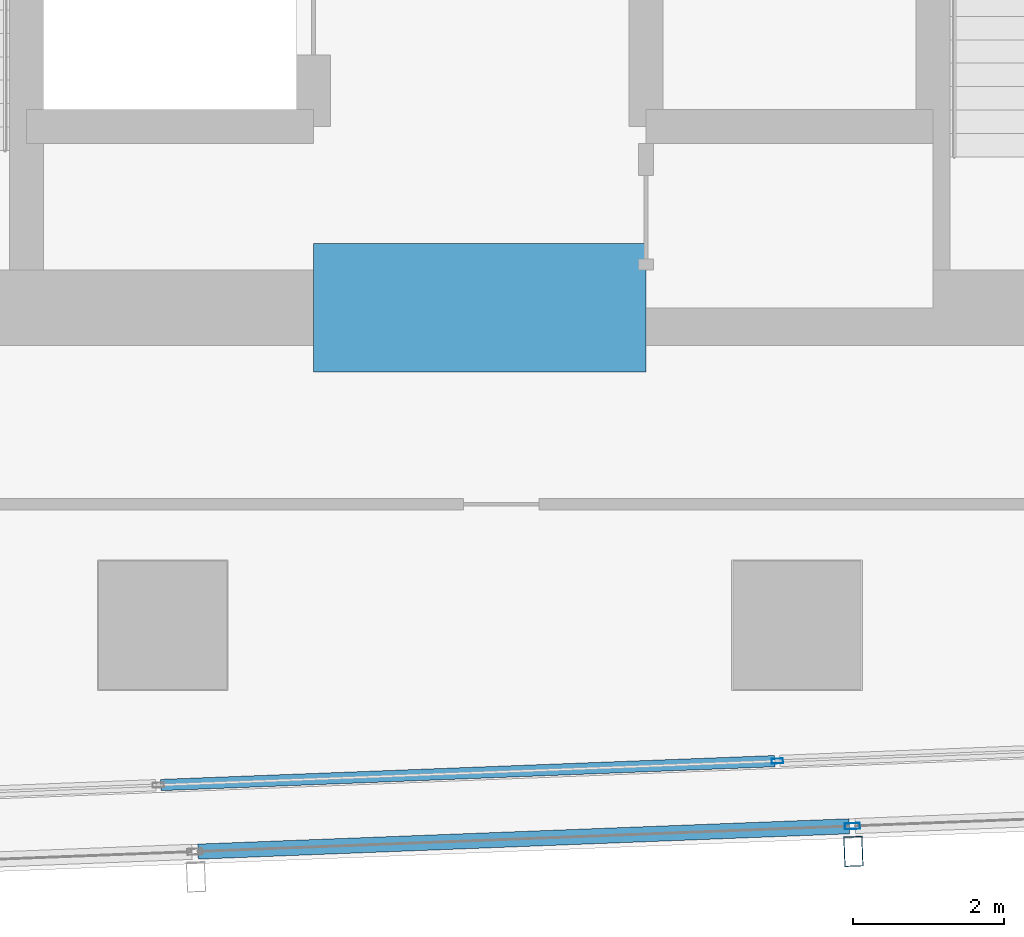
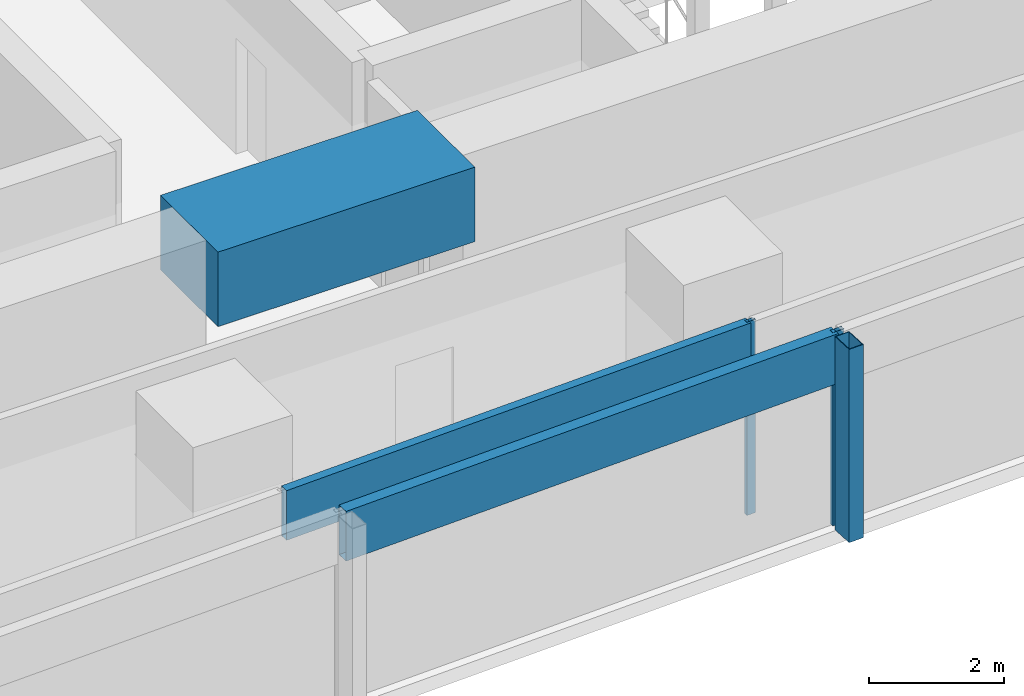
# One storey, part 9 of 40: 5 members, 1 beam, 2 elements without a shape of their own.
"""IFC4 building model written with IfcOpenShell, lengths in metres."""

import ifcopenshell
import ifcopenshell.guid

model = None  # the IFC model being written
_history = None  # IfcOwnerHistory: only IFC2X3 demands one
_inside = {}  # id of a spatial element -> (the spatial element, [elements in it])
_under = {}  # id of a project, library or spatial element -> (it, [spatial elements below it])
_declared = {}  # id of a project -> (the project, [libraries it declares])
_typed = {}  # id of a type object -> (the type object, [elements of that type])
_made_of = {}  # id of a material, layer set ... -> (it, [elements and type objects made of it])


def new_model(schema):
    """Start an empty IFC model of exactly this schema.

    Asked for "IFC4X3", IfcOpenShell would pick the latest addendum, in which some entities
    have other attributes; the version numbers below select the first issue.
    IFC2X3 requires an IfcOwnerHistory on every rooted entity: one is made here for all.
    """
    global model, _history
    if schema == "IFC4X3":
        model = ifcopenshell.file(schema_version=(4, 3, 0, 0))
    else:
        model = ifcopenshell.file(schema=schema)
    _inside.clear()
    _under.clear()
    _declared.clear()
    _typed.clear()
    _made_of.clear()
    _history = None
    if model.schema == "IFC2X3":
        org = make("IfcOrganization", Name="unknown")
        user = make(
            "IfcPersonAndOrganization",
            ThePerson=make("IfcPerson", FamilyName="unknown"),
            TheOrganization=org,
        )
        app = make(
            "IfcApplication",
            ApplicationDeveloper=org,
            Version="unknown",
            ApplicationFullName="unknown",
            ApplicationIdentifier="unknown",
        )
        _history = make(
            "IfcOwnerHistory",
            OwningUser=user,
            OwningApplication=app,
            ChangeAction="ADDED",
            CreationDate=0,
        )
    return model


def make(cls, **values):
    """One entity of the class cls with the attributes given. An attribute that is None is left unset."""
    return model.create_entity(
        cls, **{name: value for name, value in values.items() if value is not None}
    )


def rooted(cls, **values):
    """An entity with a GlobalId (a new one), such as an element, a storey or a relation."""
    return make(cls, GlobalId=ifcopenshell.guid.new(), OwnerHistory=_history, **values)


def si_unit(unit_type, name, prefix=None):
    """IfcSIUnit, for example si_unit("LENGTHUNIT", "METRE", prefix="MILLI")."""
    return make("IfcSIUnit", UnitType=unit_type, Prefix=prefix, Name=name)


def assignment(units):
    """IfcUnitAssignment: the units of a project."""
    return None if units is None else make("IfcUnitAssignment", Units=units)


def point(xyz):
    """IfcCartesianPoint."""
    return None if xyz is None else make("IfcCartesianPoint", Coordinates=xyz)


def direction(xyz):
    """IfcDirection."""
    return None if xyz is None else make("IfcDirection", DirectionRatios=xyz)


def frame(location, z_axis=None, x_axis=None):
    """IfcAxis2Placement3D, a coordinate frame: its origin and axes. An axis left out is left unset."""
    return make(
        "IfcAxis2Placement3D",
        Location=point(location),
        Axis=direction(z_axis),
        RefDirection=direction(x_axis),
    )


def frame_2d(location, x_axis=None):
    """IfcAxis2Placement2D, a coordinate frame in the plane: its origin and x axis."""
    return make(
        "IfcAxis2Placement2D", Location=point(location), RefDirection=direction(x_axis)
    )


def origin():
    """The frame at (0, 0, 0) with its axes left unset."""
    return frame((0.0, 0.0, 0.0))


def origin_2d():
    """The frame at (0, 0) in the plane with its x axis left unset."""
    return frame_2d((0.0, 0.0))


def place(relative_to, where):
    """IfcLocalPlacement: puts the frame where relative to a parent placement (None: the world)."""
    return make(
        "IfcLocalPlacement", PlacementRelTo=relative_to, RelativePlacement=where
    )


def context(
    kind, dimensions, precision=None, world=None, true_north=None, identifier=None
):
    """IfcGeometricRepresentationContext, for example the 3D "Model" context."""
    return make(
        "IfcGeometricRepresentationContext",
        ContextIdentifier=identifier,
        ContextType=kind,
        CoordinateSpaceDimension=dimensions,
        Precision=precision,
        WorldCoordinateSystem=world,
        TrueNorth=true_north,
    )


def subcontext(parent, identifier, kind, view, scale=None):
    """IfcGeometricRepresentationSubContext, for example "Body" below "Model"."""
    return make(
        "IfcGeometricRepresentationSubContext",
        ContextIdentifier=identifier,
        ContextType=kind,
        ParentContext=parent,
        TargetScale=scale,
        TargetView=view,
    )


def project(units=None, contexts=None):
    """IfcProject with its units and contexts."""
    return rooted(
        "IfcProject",
        Name="project",
        RepresentationContexts=contexts,
        UnitsInContext=assignment(units),
    )


def spatial(cls, under=None, at=None, **own):
    """A site, building, storey or space (cls), placed at a placement, below another one or the project."""
    s = rooted(cls, ObjectPlacement=at, **own)
    if under is not None:
        _under.setdefault(under.id(), (under, []))[1].append(s)
    return s


def profile(cls, at=None, kind="AREA", **sizes):
    """A parametric profile (cls). Its sizes go by their IFC names, for example OverallWidth=200.0."""
    return make(cls, ProfileType=kind, Position=at, **sizes)


def rectangle(**sizes):
    """IfcRectangleProfileDef."""
    return profile("IfcRectangleProfileDef", **sizes)


def hollow_rectangle(**sizes):
    """IfcRectangleHollowProfileDef."""
    return profile("IfcRectangleHollowProfileDef", **sizes)


def extrude(swept, where, along, depth):
    """IfcExtrudedAreaSolid: the profile swept, set in the frame where, extruded along a direction by depth."""
    return make(
        "IfcExtrudedAreaSolid",
        SweptArea=swept,
        Position=where,
        ExtrudedDirection=direction(along),
        Depth=depth,
    )


def shape(context_of_items, identifier, shape_type, items):
    """IfcShapeRepresentation: the items that make up one representation, for example the "Body"."""
    return make(
        "IfcShapeRepresentation",
        ContextOfItems=context_of_items,
        RepresentationIdentifier=identifier,
        RepresentationType=shape_type,
        Items=items,
    )


def material(Name=None, Category=None):
    """IfcMaterial."""
    return make("IfcMaterial", Name=Name, Category=Category)


def material_profile(
    of_material, cross_section, Name=None, Category=None, Priority=None
):
    """IfcMaterialProfile: a cross section and its material."""
    return make(
        "IfcMaterialProfile",
        Name=Name,
        Material=of_material,
        Profile=cross_section,
        Priority=Priority,
        Category=Category,
    )


def profile_set(profiles, Name=None, composite=None):
    """IfcMaterialProfileSet."""
    return make(
        "IfcMaterialProfileSet",
        Name=Name,
        MaterialProfiles=profiles,
        CompositeProfile=composite,
    )


def made_of(thing, what):
    """Note that an element or type object is made of a material, layer set ...; save() writes the relation."""
    if what is not None:
        _made_of.setdefault(what.id(), (what, []))[1].append(thing)
    return thing


def type_object(cls, material=None, **own):
    """A type object (cls), such as IfcWallType, which elements share."""
    return made_of(rooted(cls, **own), material)


def element(
    cls,
    number,
    at=None,
    inside=None,
    cuts=None,
    type_object=None,
    material=None,
    context=None,
    identifier="Body",
    shape_type=None,
    held_by="IfcProductDefinitionShape",
    body=None,
    shapes=None,
    **own,
):
    """One element of the class cls, such as IfcWall. Its Tag is "e" and its number.

    at: its placement. inside: the storey or other place that contains it. cuts: it is an
    opening in that element (IfcRelVoidsElement). A single representation is given by context,
    identifier, shape_type and body (its items); several are given by shapes. held_by: the class
    of the entity that holds the representations. save() writes the other relations.
    """
    e = rooted(cls, Tag="e%d" % number, ObjectPlacement=at, **own)
    if body is not None:
        shapes = [shape(context, identifier, shape_type, body)]
    if shapes is not None:
        e.Representation = make(held_by, Representations=shapes)
    if inside is not None:
        _inside.setdefault(inside.id(), (inside, []))[1].append(e)
    if cuts is not None:
        rooted(
            "IfcRelVoidsElement", RelatingBuildingElement=cuts, RelatedOpeningElement=e
        )
    if type_object is not None:
        _typed.setdefault(type_object.id(), (type_object, []))[1].append(e)
    return made_of(e, material)


def aggregate(whole, parts):
    """IfcRelAggregates: a whole, such as a stair, and the parts it consists of."""
    return rooted("IfcRelAggregates", RelatingObject=whole, RelatedObjects=parts)


def save(model, path):
    """Write the relations noted so far, then the file.

    IfcRelAggregates (storeys below a building ...), IfcRelContainedInSpatialStructure (elements
    in a storey), IfcRelDefinesByType, IfcRelAssociatesMaterial and IfcRelDeclares: one each for
    every whole, place, type object, material and project.
    """
    for whole, parts in _under.values():
        aggregate(whole, parts)
    for where, things in _inside.values():
        rooted(
            "IfcRelContainedInSpatialStructure",
            RelatedElements=things,
            RelatingStructure=where,
        )
    for kind, things in _typed.values():
        rooted("IfcRelDefinesByType", RelatedObjects=things, RelatingType=kind)
    for what, things in _made_of.values():
        rooted("IfcRelAssociatesMaterial", RelatedObjects=things, RelatingMaterial=what)
    for by, libraries in _declared.values():
        rooted("IfcRelDeclares", RelatingContext=by, RelatedDefinitions=libraries)
    model.write(path)


model = new_model("IFC4")

# Units and contexts
model_context = context("Model", 3, precision=1e-05, world=origin(), true_north=direction((0.0, 1.0)))
body_context = subcontext(model_context, "Body", "Model", "MODEL_VIEW")
ifc_project = project(units=[si_unit("LENGTHUNIT", "METRE"), si_unit("AREAUNIT", "SQUARE_METRE"), si_unit("VOLUMEUNIT", "CUBIC_METRE"), si_unit("PLANEANGLEUNIT", "RADIAN"), si_unit("MASSUNIT", "GRAM", prefix="KILO")], contexts=[model_context])

# Site, building, storey
site_placement = place(None, origin())
site = spatial("IfcSite", under=ifc_project, at=site_placement, CompositionType="ELEMENT")
building_placement = place(site_placement, origin())
building = spatial("IfcBuilding", under=site, at=building_placement, Name="Rekha Terrace Tower", CompositionType="ELEMENT")
storey_placement = place(building_placement, frame((0.0, 0.0, 102.800048828125)))
storey = spatial("IfcBuildingStorey", under=building, at=storey_placement, Name="L25", CompositionType="ELEMENT", Elevation=102.800048828125)

# Curtain wall, member
ifc_material_1 = material(Name="Aluminium framing", Category="aluminium")
curtain_wall_type_1 = type_object("IfcCurtainWallType", Name="CW2 double skin outer glazing", PredefinedType="USERDEFINED", material=ifc_material_1)
curtain_wall_1_placement = place(storey_placement, origin())
curtain_wall_1 = element("IfcCurtainWall", 1, at=curtain_wall_1_placement, inside=storey, type_object=curtain_wall_type_1, Name="CW2 double skin outer glazing", ObjectType="DOUBLE SKIN OUTER GLAZING", PredefinedType="USERDEFINED")
ifc_material_2 = material(Name="Steel S355 with fluorocarbon finish", Category="steel")
ifc_material_profile_1 = material_profile(ifc_material_2, hollow_rectangle(XDim=0.25, YDim=0.39990234375, WallThickness=0.012451171875, at=origin_2d()), Name="RHS400x250x12.5")
ifc_profile_set_1 = profile_set([ifc_material_profile_1], Name="Steel S355 with fluorocarbon finish")
member_type_1 = type_object("IfcMemberType", Name="BL1 facade blade RHS 400 x 250", PredefinedType="USERDEFINED", material=ifc_profile_set_1)
member_1_placement = place(storey_placement, frame((42.747314453125, 13.802978515625, 0.0), z_axis=(0.0, 0.0, 1.0), x_axis=(0.999243494356, 0.038890088543, 0.0)))
member_1 = element("IfcMember", 2, at=member_1_placement, type_object=member_type_1, Name="Facade blade", ObjectType="FACADE BLADE", PredefinedType="USERDEFINED", context=body_context, shape_type="SweptSolid", body=[
    extrude(hollow_rectangle(XDim=0.25, YDim=0.39990234375, WallThickness=0.012451171875, at=origin_2d()), origin(), (0.0, 0.0, 1.0), 3.5),
])

# Curtain wall, members
curtain_wall_type_2 = type_object("IfcCurtainWallType", Name="CW1 double skin inner glazing", PredefinedType="USERDEFINED", material=ifc_material_1)
curtain_wall_2_placement = place(storey_placement, origin())
curtain_wall_2 = element("IfcCurtainWall", 3, at=curtain_wall_2_placement, inside=storey, type_object=curtain_wall_type_2, Name="CW1 double skin inner glazing", ObjectType="DOUBLE SKIN INNER GLAZING", PredefinedType="USERDEFINED")
ifc_material_3 = material(Name="Aluminium mullion section", Category="aluminium")
ifc_material_profile_2 = material_profile(ifc_material_3, hollow_rectangle(XDim=0.06494140625, YDim=0.14990234375, WallThickness=0.00390625, at=origin_2d()), Name="AL RHS 65x150")
ifc_profile_set_2 = profile_set([ifc_material_profile_2], Name="Aluminium mullion section")
member_type_2 = type_object("IfcMemberType", Name="CW1 mullion RHS 65 x 150", PredefinedType="MULLION", material=ifc_profile_set_2)
member_2_placement = place(storey_placement, frame((41.740234375, 14.999755859375, 0.0), z_axis=(0.0, 0.0, 1.0), x_axis=(-0.038889971345, 0.999243498917, 0.0)))
member_2 = element("IfcMember", 4, at=member_2_placement, type_object=member_type_2, Name="CW1 mullion 3", PredefinedType="MULLION", context=body_context, shape_type="SweptSolid", body=[
    extrude(hollow_rectangle(XDim=0.06494140625, YDim=0.14990234375, WallThickness=0.00390625, at=origin_2d()), origin(), (0.0, 0.0, 1.0), 3.5),
])
ifc_material_4 = material(Name="Insulated aluminium spandrel box", Category="aluminium")
ifc_material_profile_3 = material_profile(ifc_material_4, hollow_rectangle(XDim=0.14990234375, YDim=0.89990234375, WallThickness=0.0029296875, at=origin_2d()), Name="AL SPANDREL BOX 150x900")
ifc_profile_set_3 = profile_set([ifc_material_profile_3], Name="Insulated aluminium spandrel box")
member_type_3 = type_object("IfcMemberType", Name="CW1 spandrel transom 150 x 900", PredefinedType="USERDEFINED", material=ifc_profile_set_3)
member_3_placement = place(storey_placement, frame((33.576416015625, 14.68212890625, 3.050048828125), z_axis=(0.999243790362, 0.038882482205, 0.0), x_axis=(-0.038882482205, 0.999243790362, 0.0)))
member_3 = element("IfcMember", 5, at=member_3_placement, type_object=member_type_3, Name="CW1 spandrel transom 2", ObjectType="TRANSOM", PredefinedType="USERDEFINED", context=body_context, shape_type="SweptSolid", body=[
    extrude(hollow_rectangle(XDim=0.14990234375, YDim=0.89990234375, WallThickness=0.0029296875, at=origin_2d()), origin(), (0.0, 0.0, 1.0), 8.137451171875),
])
aggregate(curtain_wall_2, [member_2, member_3])

# Member
ifc_material_profile_4 = material_profile(ifc_material_3, hollow_rectangle(XDim=0.080078125, YDim=0.199951171875, WallThickness=0.00390625, at=origin_2d()), Name="AL RHS 80x200")
ifc_profile_set_4 = profile_set([ifc_material_profile_4], Name="Aluminium mullion section")
member_type_4 = type_object("IfcMemberType", Name="CW2 mullion RHS 80 x 200", PredefinedType="MULLION", material=ifc_profile_set_4)
member_4_placement = place(storey_placement, frame((42.734130859375, 14.137939453125, 0.0), z_axis=(0.0, 0.0, 1.0), x_axis=(-0.038889971345, 0.999243498917, 0.0)))
member_4 = element("IfcMember", 6, at=member_4_placement, type_object=member_type_4, Name="CW2 mullion 3", PredefinedType="MULLION", context=body_context, shape_type="SweptSolid", body=[
    extrude(hollow_rectangle(XDim=0.080078125, YDim=0.199951171875, WallThickness=0.00390625, at=origin_2d()), origin(), (0.0, 0.0, 1.0), 3.5),
])

ifc_material_profile_5 = material_profile(ifc_material_4, hollow_rectangle(XDim=0.199951171875, YDim=0.89990234375, WallThickness=0.0029296875, at=origin_2d()), Name="AL SPANDREL BOX 200x900")
ifc_profile_set_5 = profile_set([ifc_material_profile_5], Name="Insulated aluminium spandrel box")
member_type_5 = type_object("IfcMemberType", Name="CW2 spandrel transom 200 x 900", PredefinedType="USERDEFINED", material=ifc_profile_set_5)
member_5_placement = place(storey_placement, frame((34.069091796875, 13.800537109375, 3.050048828125), z_axis=(0.999243438523, 0.038891523097, 0.0), x_axis=(-0.038891523097, 0.999243438523, 0.0)))
member_5 = element("IfcMember", 7, at=member_5_placement, type_object=member_type_5, Name="CW2 spandrel transom 2", ObjectType="TRANSOM", PredefinedType="USERDEFINED", context=body_context, shape_type="SweptSolid", body=[
    extrude(hollow_rectangle(XDim=0.199951171875, YDim=0.89990234375, WallThickness=0.0029296875, at=origin_2d()), origin(), (0.0, 0.0, 1.0), 8.631591796875),
])

aggregate(curtain_wall_1, [member_4, member_5, member_1])

# Beam
ifc_material_5 = material(Name="Concrete M70", Category="concrete")
ifc_material_profile_6 = material_profile(ifc_material_5, rectangle(XDim=1.699951171875, YDim=1.35009765625, at=origin_2d()), Name="RC 1700x1350")
ifc_profile_set_6 = profile_set([ifc_material_profile_6], Name="Concrete M70")
beam_type = type_object("IfcBeamType", Name="LB2A 1700x1350 diagonally reinforced coupling beam", PredefinedType="LINTEL", material=ifc_profile_set_6)
beam_placement = place(storey_placement, frame((35.60009765625, 21.0, 3.074951171875), z_axis=(1.0, 0.0, 0.0), x_axis=(0.0, 1.0, 0.0)))
element("IfcBeam", 8, at=beam_placement, inside=storey, type_object=beam_type, Name="Coupling beam LB2A S L25", PredefinedType="LINTEL", context=body_context, shape_type="SweptSolid", body=[
    extrude(rectangle(XDim=1.699951171875, YDim=1.35009765625, at=origin_2d()), origin(), (0.0, 0.0, 1.0), 4.39990234375),
])

save(model, "model.ifc")
